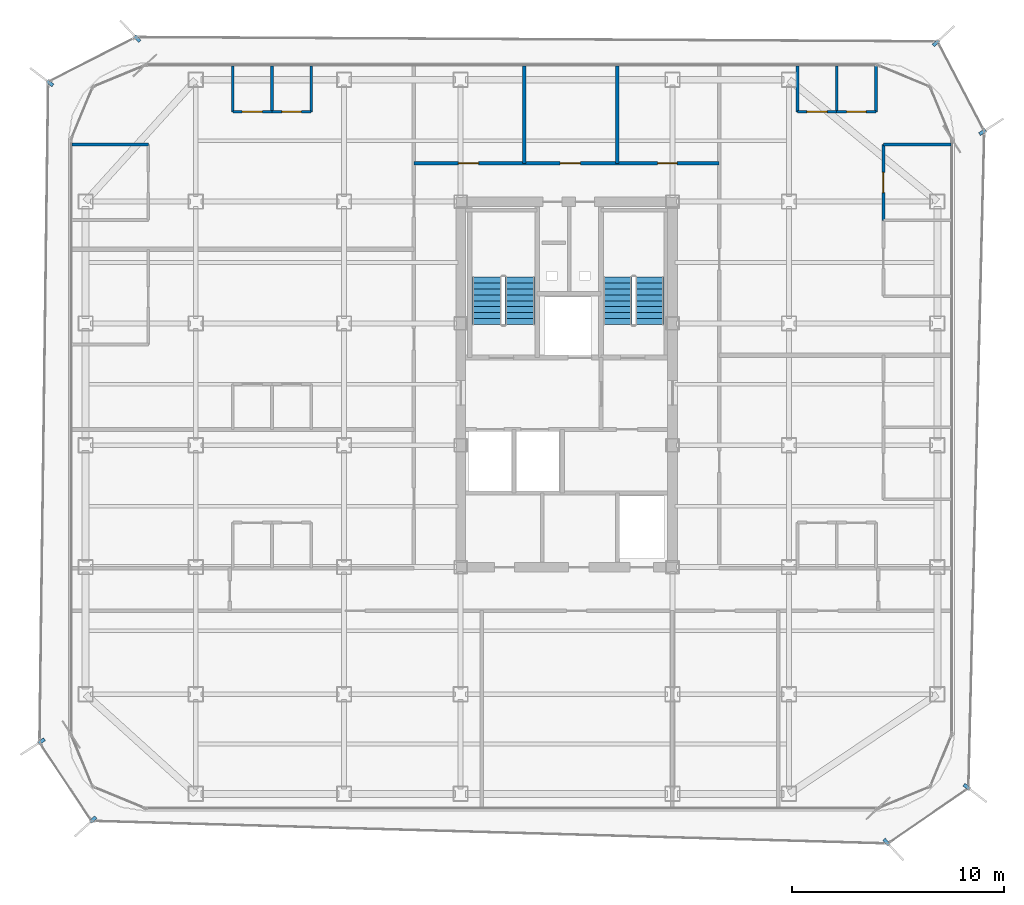
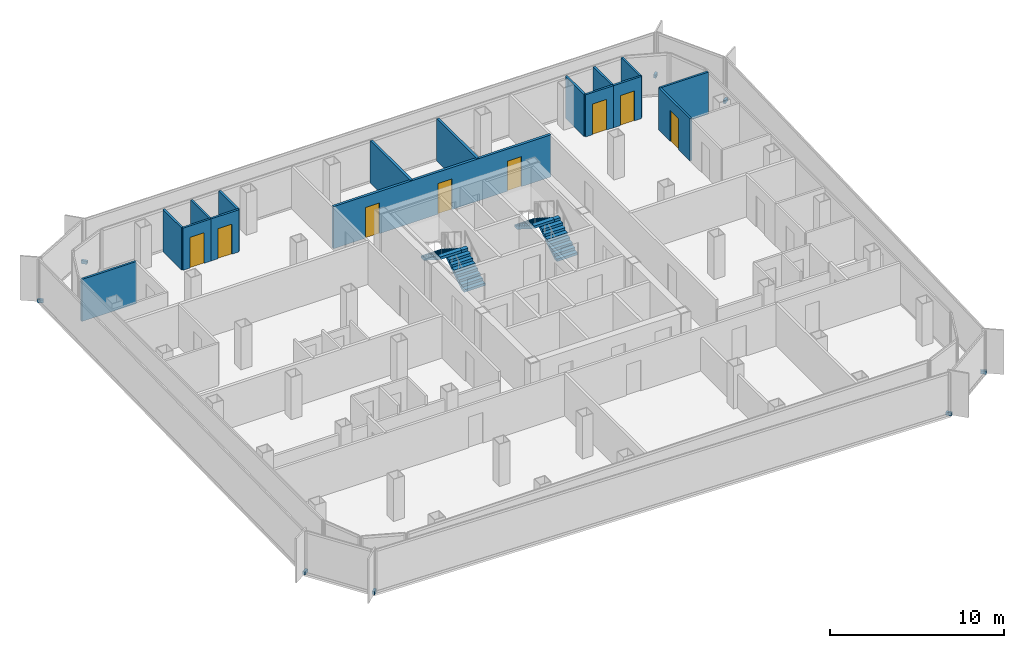
# One storey, part 12 of 15: 16 walls, 8 discrete accessories, 8 doors, 4 stair flights, 8 openings, 2 elements without a shape of their own.
"""IFC4 building model written with IfcOpenShell, lengths in metres."""

from ifc_helpers import new_model, si_unit, direction, frame, frame_2d, origin, origin_2d, place, context, subcontext, project, spatial, polyline, rectangle, outline, extrude, source, transform, mapped, material, layer, layer_set, type_object, element, fill, aggregate, save


model = new_model("IFC4")

# Units and contexts
model_context = context("Model", 3, precision=1e-05, world=origin(), true_north=direction((0.0, 1.0)))
body_context = subcontext(model_context, "Body", "Model", "MODEL_VIEW")
ifc_project = project(units=[si_unit("LENGTHUNIT", "METRE"), si_unit("AREAUNIT", "SQUARE_METRE"), si_unit("VOLUMEUNIT", "CUBIC_METRE"), si_unit("PLANEANGLEUNIT", "RADIAN"), si_unit("MASSUNIT", "GRAM", prefix="KILO")], contexts=[model_context])

# Site, building, storey
site_placement = place(None, origin())
site = spatial("IfcSite", under=ifc_project, at=site_placement, CompositionType="ELEMENT")
building_placement = place(site_placement, origin())
building = spatial("IfcBuilding", under=site, at=building_placement, Name="Kolveth Station Tower", CompositionType="ELEMENT")
storey_placement = place(building_placement, frame((0.0, 0.0, 168.89990234375)))
storey = spatial("IfcBuildingStorey", under=building, at=storey_placement, Name="L47", CompositionType="ELEMENT", Elevation=168.89990234375)

# Wall, opening, door
ifc_material_1 = material(Name="Moisture-resistant gypsum partition")
ifc_layer_1 = layer(ifc_material_1, 0.135009765625)
ifc_layer_set_1 = layer_set([ifc_layer_1], Name="Moisture-resistant gypsum partition")
wall_type_1 = type_object("IfcWallType", Name="Wall_IW-135", PredefinedType="PARTITIONING", material=ifc_layer_set_1)
wall_1_placement = place(storey_placement, frame((7.75, 32.989990234375, 0.0), z_axis=(0.0, 0.0, 1.0), x_axis=(1.0, 0.0, 0.0)))
wall_1 = element("IfcWall", 1, at=wall_1_placement, inside=storey, type_object=wall_type_1, Name="L47 Partition Wall WL-L47-W3-IBHK", PredefinedType="PARTITIONING", context=body_context, shape_type="SweptSolid", body=[
    extrude(rectangle(XDim=1.85009765625, YDim=0.135009765625, at=frame_2d((0.925048828125, 0.0))), origin(), (0.0, 0.0, 1.0), 2.9501953125),
])
opening_1_placement = place(wall_1_placement, frame((0.445068359375, 0.0, 0.0)))
opening_1 = element("IfcOpeningElement", 2, at=opening_1_placement, cuts=wall_1, Name="Opening ID1", PredefinedType="OPENING", context=body_context, shape_type="SweptSolid", body=[
    extrude(rectangle(XDim=0.949951171875, YDim=2.14990234375, at=frame_2d((0.47509765625, 1.074951171875))), frame((0.0, 0.077392578125, 0.0), z_axis=(0.0, -1.0, 0.0), x_axis=(1.0, 0.0, 0.0)), (0.0, 0.0, 1.0), 0.155029296875),
])
ifc_material_2 = material(Name="Acoustic hardwood leaf and aluminium frame", Category="wood")
door_type_1 = type_object("IfcDoorType", Name="Door_ID1", OperationType="NOTDEFINED", PredefinedType="DOOR", material=ifc_material_2)
door_1_placement = place(opening_1_placement, frame((0.949951171875, 0.0, 0.0), z_axis=(0.0, 0.0, 1.0), x_axis=(-1.0, 0.0, 0.0)))
door_1 = element("IfcDoor", 3, at=door_1_placement, inside=storey, type_object=door_type_1, Name="Penthouse Flat L47-W3 Kitchen Door", OperationType="SINGLE_SWING_LEFT", OverallHeight=2.14990234375, OverallWidth=0.949951171875, PredefinedType="DOOR", context=body_context, shape_type="SweptSolid", body=[
    extrude(rectangle(XDim=0.949951171875, YDim=2.14990234375, at=frame_2d((0.47509765625, 1.074951171875))), frame((0.0, 0.02490234375, 0.0), z_axis=(0.0, -1.0, 0.0), x_axis=(1.0, 0.0, 0.0)), (0.0, 0.0, 1.0), 0.050048828125),
])
fill(opening_1, door_1)

wall_2_placement = place(storey_placement, frame((9.60009765625, 32.989990234375, 0.0), z_axis=(0.0, 0.0, 1.0), x_axis=(1.0, 0.0, 0.0)))
wall_2 = element("IfcWall", 4, at=wall_2_placement, inside=storey, type_object=wall_type_1, Name="L47 Partition Wall WL-L47-W3-IBHB", PredefinedType="PARTITIONING", context=body_context, shape_type="SweptSolid", body=[
    extrude(rectangle(XDim=1.849853515625, YDim=0.135009765625, at=frame_2d((0.9248046875, 0.0))), origin(), (0.0, 0.0, 1.0), 2.9501953125),
])
opening_2_placement = place(wall_2_placement, frame((0.465087890625, 0.0, 0.0)))
opening_2 = element("IfcOpeningElement", 5, at=opening_2_placement, cuts=wall_2, Name="Opening ID2", PredefinedType="OPENING", context=body_context, shape_type="SweptSolid", body=[
    extrude(rectangle(XDim=0.919921875, YDim=2.10009765625, at=frame_2d((0.4599609375, 1.050048828125))), frame((0.0, 0.077392578125, 0.0), z_axis=(0.0, -1.0, 0.0), x_axis=(1.0, 0.0, 0.0)), (0.0, 0.0, 1.0), 0.155029296875),
])
ifc_material_3 = material(Name="Moisture-resistant hardwood leaf", Category="wood")
door_type_2 = type_object("IfcDoorType", Name="Door_ID2", OperationType="NOTDEFINED", PredefinedType="DOOR", material=ifc_material_3)
door_2_placement = place(opening_2_placement, frame((0.919921875, 0.0, 0.0), z_axis=(0.0, 0.0, 1.0), x_axis=(-1.0, 0.0, 0.0)))
door_2 = element("IfcDoor", 6, at=door_2_placement, inside=storey, type_object=door_type_2, Name="Penthouse Flat L47-W3 Bathroom Door", OperationType="SINGLE_SWING_LEFT", OverallHeight=2.10009765625, OverallWidth=0.919921875, PredefinedType="DOOR", context=body_context, shape_type="SweptSolid", body=[
    extrude(rectangle(XDim=0.919921875, YDim=2.10009765625, at=frame_2d((0.4599609375, 1.050048828125))), frame((0.0, 0.02490234375, 0.0), z_axis=(0.0, -1.0, 0.0), x_axis=(1.0, 0.0, 0.0)), (0.0, 0.0, 1.0), 0.050048828125),
])
fill(opening_2, door_2)

# Walls
for number, where, z_axis, x_axis, name in (
    (7, (7.75, 32.989990234375, 0.0), (0.0, 0.0, 1.0), (0.0, 1.0, 0.0), "L47 Partition Wall WL-L47-W3-IBV0"),
    (8, (9.60009765625, 32.989990234375, 0.0), (0.0, 0.0, 1.0), (0.0, 1.0, 0.0), "L47 Partition Wall WL-L47-W3-IBV1"),
    (9, (11.449951171875, 32.989990234375, 0.0), (0.0, 0.0, 1.0), (0.0, 1.0, 0.0), "L47 Partition Wall WL-L47-W3-IBV2"),
):
    element("IfcWall", number, at=place(storey_placement, frame(where, z_axis=z_axis, x_axis=x_axis)), inside=storey, type_object=wall_type_1, Name=name, PredefinedType="PARTITIONING", context=body_context, shape_type="SweptSolid", body=[
        extrude(rectangle(XDim=2.14990234375, YDim=0.135009765625, at=frame_2d((1.074951171875, 0.0))), origin(), (0.0, 0.0, 1.0), 2.9501953125),
    ])
wall_3_placement = place(storey_placement, frame((0.159912109375, 31.449951171875, 0.0), z_axis=(0.0, 0.0, 1.0), x_axis=(1.0, 0.0, 0.0)))
element("IfcWall", 10, at=wall_3_placement, inside=storey, type_object=wall_type_1, Name="L47 Partition Wall WL-L47-W3-BDHE", PredefinedType="PARTITIONING", context=body_context, shape_type="SweptSolid", body=[
    extrude(rectangle(XDim=3.60009765625, YDim=0.135009765625, at=frame_2d((1.800048828125, 0.0))), origin(), (0.0, 0.0, 1.0), 2.9501953125),
])

# Wall, opening, door
wall_4_placement = place(storey_placement, frame((34.39990234375, 32.989990234375, 0.0), z_axis=(0.0, 0.0, 1.0), x_axis=(1.0, 0.0, 0.0)))
wall_4 = element("IfcWall", 11, at=wall_4_placement, inside=storey, type_object=wall_type_1, Name="L47 Partition Wall WL-L47-E2-IBHK", PredefinedType="PARTITIONING", context=body_context, shape_type="SweptSolid", body=[
    extrude(rectangle(XDim=1.85009765625, YDim=0.135009765625, at=frame_2d((0.925048828125, 0.0))), origin(), (0.0, 0.0, 1.0), 2.9501953125),
])
opening_3_placement = place(wall_4_placement, frame((0.445068359375, 0.0, 0.0)))
opening_3 = element("IfcOpeningElement", 12, at=opening_3_placement, cuts=wall_4, Name="Opening ID1", PredefinedType="OPENING", context=body_context, shape_type="SweptSolid", body=[
    extrude(rectangle(XDim=0.949951171875, YDim=2.14990234375, at=frame_2d((0.47509765625, 1.074951171875))), frame((0.0, 0.077392578125, 0.0), z_axis=(0.0, -1.0, 0.0), x_axis=(1.0, 0.0, 0.0)), (0.0, 0.0, 1.0), 0.155029296875),
])
door_3_placement = place(opening_3_placement, frame((0.949951171875, 0.0, 0.0), z_axis=(0.0, 0.0, 1.0), x_axis=(-1.0, 0.0, 0.0)))
door_3 = element("IfcDoor", 13, at=door_3_placement, inside=storey, type_object=door_type_1, Name="Penthouse Flat L47-E2 Kitchen Door", OperationType="SINGLE_SWING_LEFT", OverallHeight=2.14990234375, OverallWidth=0.949951171875, PredefinedType="DOOR", context=body_context, shape_type="SweptSolid", body=[
    extrude(rectangle(XDim=0.949951171875, YDim=2.14990234375, at=frame_2d((0.47509765625, 1.074951171875))), frame((0.0, 0.02490234375, 0.0), z_axis=(0.0, -1.0, 0.0), x_axis=(1.0, 0.0, 0.0)), (0.0, 0.0, 1.0), 0.050048828125),
])
fill(opening_3, door_3)

wall_5_placement = place(storey_placement, frame((36.25, 32.989990234375, 0.0), z_axis=(0.0, 0.0, 1.0), x_axis=(1.0, 0.0, 0.0)))
wall_5 = element("IfcWall", 14, at=wall_5_placement, inside=storey, type_object=wall_type_1, Name="L47 Partition Wall WL-L47-E2-IBHB", PredefinedType="PARTITIONING", context=body_context, shape_type="SweptSolid", body=[
    extrude(rectangle(XDim=1.85009765625, YDim=0.135009765625, at=frame_2d((0.925048828125, 0.0))), origin(), (0.0, 0.0, 1.0), 2.9501953125),
])
opening_4_placement = place(wall_5_placement, frame((0.465087890625, 0.0, 0.0)))
opening_4 = element("IfcOpeningElement", 15, at=opening_4_placement, cuts=wall_5, Name="Opening ID2", PredefinedType="OPENING", context=body_context, shape_type="SweptSolid", body=[
    extrude(rectangle(XDim=0.919921875, YDim=2.10009765625, at=frame_2d((0.4599609375, 1.050048828125))), frame((0.0, 0.077392578125, 0.0), z_axis=(0.0, -1.0, 0.0), x_axis=(1.0, 0.0, 0.0)), (0.0, 0.0, 1.0), 0.155029296875),
])
door_4_placement = place(opening_4_placement, frame((0.919921875, 0.0, 0.0), z_axis=(0.0, 0.0, 1.0), x_axis=(-1.0, 0.0, 0.0)))
door_4 = element("IfcDoor", 16, at=door_4_placement, inside=storey, type_object=door_type_2, Name="Penthouse Flat L47-E2 Bathroom Door", OperationType="SINGLE_SWING_LEFT", OverallHeight=2.10009765625, OverallWidth=0.919921875, PredefinedType="DOOR", context=body_context, shape_type="SweptSolid", body=[
    extrude(rectangle(XDim=0.919921875, YDim=2.10009765625, at=frame_2d((0.4599609375, 1.050048828125))), frame((0.0, 0.02490234375, 0.0), z_axis=(0.0, -1.0, 0.0), x_axis=(1.0, 0.0, 0.0)), (0.0, 0.0, 1.0), 0.050048828125),
])
fill(opening_4, door_4)

# Walls
for number, where, z_axis, x_axis, name in (
    (17, (34.39990234375, 32.989990234375, 0.0), (0.0, 0.0, 1.0), (0.0, 1.0, 0.0), "L47 Partition Wall WL-L47-E2-IBV0"),
    (18, (36.25, 32.989990234375, 0.0), (0.0, 0.0, 1.0), (0.0, 1.0, 0.0), "L47 Partition Wall WL-L47-E2-IBV1"),
    (19, (38.10009765625, 32.989990234375, 0.0), (0.0, 0.0, 1.0), (0.0, 1.0, 0.0), "L47 Partition Wall WL-L47-E2-IBV2"),
):
    element("IfcWall", number, at=place(storey_placement, frame(where, z_axis=z_axis, x_axis=x_axis)), inside=storey, type_object=wall_type_1, Name=name, PredefinedType="PARTITIONING", context=body_context, shape_type="SweptSolid", body=[
        extrude(rectangle(XDim=2.14990234375, YDim=0.135009765625, at=frame_2d((1.074951171875, 0.0))), origin(), (0.0, 0.0, 1.0), 2.9501953125),
    ])
wall_6_placement = place(storey_placement, frame((38.449951171875, 31.449951171875, 0.0), z_axis=(0.0, 0.0, 1.0), x_axis=(1.0, 0.0, 0.0)))
element("IfcWall", 20, at=wall_6_placement, inside=storey, type_object=wall_type_1, Name="L47 Partition Wall WL-L47-E2-BDHE", PredefinedType="PARTITIONING", context=body_context, shape_type="SweptSolid", body=[
    extrude(rectangle(XDim=3.18994140625, YDim=0.135009765625, at=frame_2d((1.594970703125, 0.0))), origin(), (0.0, 0.0, 1.0), 2.9501953125),
])

# Wall, opening, door
wall_7_placement = place(storey_placement, frame((38.449951171875, 27.867919921875, 0.0), z_axis=(0.0, 0.0, 1.0), x_axis=(0.0, 1.0, 0.0)))
wall_7 = element("IfcWall", 21, at=wall_7_placement, inside=storey, type_object=wall_type_1, Name="L47 Partition Wall WL-L47-E2-BDV2", PredefinedType="PARTITIONING", context=body_context, shape_type="SweptSolid", body=[
    extrude(rectangle(XDim=3.58203125, YDim=0.135009765625, at=frame_2d((1.791015625, 0.0))), origin(), (0.0, 0.0, 1.0), 2.9501953125),
])
opening_5_placement = place(wall_7_placement, frame((1.31103515625, 0.0, 0.0)))
opening_5 = element("IfcOpeningElement", 22, at=opening_5_placement, cuts=wall_7, Name="Opening ID1", PredefinedType="OPENING", context=body_context, shape_type="SweptSolid", body=[
    extrude(rectangle(XDim=0.949951171875, YDim=2.14990234375, at=frame_2d((0.47509765625, 1.074951171875))), frame((0.0, 0.077392578125, 0.0), z_axis=(0.0, -1.0, 0.0), x_axis=(1.0, 0.0, 0.0)), (0.0, 0.0, 1.0), 0.155029296875),
])
door_5_placement = place(opening_5_placement, frame((0.949951171875, 0.0, 0.0), z_axis=(0.0, 0.0, 1.0), x_axis=(-1.0, 0.0, 0.0)))
door_5 = element("IfcDoor", 23, at=door_5_placement, inside=storey, type_object=door_type_1, Name="Penthouse Flat L47-E2 Bedroom 2 Door", OperationType="SINGLE_SWING_RIGHT", OverallHeight=2.14990234375, OverallWidth=0.949951171875, PredefinedType="DOOR", context=body_context, shape_type="SweptSolid", body=[
    extrude(rectangle(XDim=0.949951171875, YDim=2.14990234375, at=frame_2d((0.47509765625, 1.074951171875))), frame((0.0, 0.02490234375, 0.0), z_axis=(0.0, -1.0, 0.0), x_axis=(1.0, 0.0, 0.0)), (0.0, 0.0, 1.0), 0.050048828125),
])
fill(opening_5, door_5)

# Wall, openings, doors
ifc_material_4 = material(Name="Acoustic double-stud gypsum partition")
ifc_layer_2 = layer(ifc_material_4, 0.1650390625)
ifc_layer_set_2 = layer_set([ifc_layer_2], Name="Acoustic double-stud gypsum partition")
wall_type_2 = type_object("IfcWallType", Name="Wall_IW-165", PredefinedType="PARTITIONING", material=ifc_layer_set_2)
wall_8_placement = place(storey_placement, frame((16.300048828125, 30.550048828125, 0.0), z_axis=(0.0, 0.0, 1.0), x_axis=(1.0, 0.0, 0.0)))
wall_8 = element("IfcWall", 24, at=wall_8_placement, inside=storey, type_object=wall_type_2, Name="L47 Partition Wall WL-L47-RN", PredefinedType="PARTITIONING", context=body_context, shape_type="SweptSolid", body=[
    extrude(rectangle(XDim=14.39990234375, YDim=0.1650390625, at=frame_2d((7.199951171875, 0.0))), origin(), (0.0, 0.0, 1.0), 2.9501953125),
])
opening_6_placement = place(wall_8_placement, frame((2.10009765625, 0.0, 0.0)))
opening_6 = element("IfcOpeningElement", 25, at=opening_6_placement, cuts=wall_8, Name="Opening ID1", PredefinedType="OPENING", context=body_context, shape_type="SweptSolid", body=[
    extrude(rectangle(XDim=0.949951171875, YDim=2.14990234375, at=frame_2d((0.47509765625, 1.074951171875))), frame((0.0, 0.092529296875, 0.0), z_axis=(0.0, -1.0, 0.0), x_axis=(1.0, 0.0, 0.0)), (0.0, 0.0, 1.0), 0.18505859375),
])
opening_7_placement = place(wall_8_placement, frame((6.89990234375, 0.0, 0.0)))
opening_7 = element("IfcOpeningElement", 26, at=opening_7_placement, cuts=wall_8, Name="Opening ID1", PredefinedType="OPENING", context=body_context, shape_type="SweptSolid", body=[
    extrude(rectangle(XDim=0.949951171875, YDim=2.14990234375, at=frame_2d((0.47509765625, 1.074951171875))), frame((0.0, 0.092529296875, 0.0), z_axis=(0.0, -1.0, 0.0), x_axis=(1.0, 0.0, 0.0)), (0.0, 0.0, 1.0), 0.18505859375),
])
opening_8_placement = place(wall_8_placement, frame((11.5, 0.0, 0.0)))
opening_8 = element("IfcOpeningElement", 27, at=opening_8_placement, cuts=wall_8, Name="Opening ID2", PredefinedType="OPENING", context=body_context, shape_type="SweptSolid", body=[
    extrude(rectangle(XDim=0.919921875, YDim=2.10009765625, at=frame_2d((0.4599609375, 1.050048828125))), frame((0.0, 0.092529296875, 0.0), z_axis=(0.0, -1.0, 0.0), x_axis=(1.0, 0.0, 0.0)), (0.0, 0.0, 1.0), 0.18505859375),
])
door_6_placement = place(opening_6_placement, origin())
door_6 = element("IfcDoor", 28, at=door_6_placement, inside=storey, type_object=door_type_1, Name="L47 Quiet Study 1 Door", OperationType="SINGLE_SWING_RIGHT", OverallHeight=2.14990234375, OverallWidth=0.949951171875, PredefinedType="DOOR", context=body_context, shape_type="SweptSolid", body=[
    extrude(rectangle(XDim=0.949951171875, YDim=2.14990234375, at=frame_2d((0.47509765625, 1.074951171875))), frame((0.0, 0.02490234375, 0.0), z_axis=(0.0, -1.0, 0.0), x_axis=(1.0, 0.0, 0.0)), (0.0, 0.0, 1.0), 0.050048828125),
])
fill(opening_6, door_6)
door_7_placement = place(opening_7_placement, origin())
door_7 = element("IfcDoor", 29, at=door_7_placement, inside=storey, type_object=door_type_1, Name="L47 Quiet Study 2 Door", OperationType="SINGLE_SWING_LEFT", OverallHeight=2.14990234375, OverallWidth=0.949951171875, PredefinedType="DOOR", context=body_context, shape_type="SweptSolid", body=[
    extrude(rectangle(XDim=0.949951171875, YDim=2.14990234375, at=frame_2d((0.47509765625, 1.074951171875))), frame((0.0, 0.02490234375, 0.0), z_axis=(0.0, -1.0, 0.0), x_axis=(1.0, 0.0, 0.0)), (0.0, 0.0, 1.0), 0.050048828125),
])
fill(opening_7, door_7)
door_8_placement = place(opening_8_placement, origin())
door_8 = element("IfcDoor", 30, at=door_8_placement, inside=storey, type_object=door_type_2, Name="L47 Accessible Residents' WC Door", OperationType="SINGLE_SWING_RIGHT", OverallHeight=2.10009765625, OverallWidth=0.919921875, PredefinedType="DOOR", context=body_context, shape_type="SweptSolid", body=[
    extrude(rectangle(XDim=0.919921875, YDim=2.10009765625, at=frame_2d((0.4599609375, 1.050048828125))), frame((0.0, 0.02490234375, 0.0), z_axis=(0.0, -1.0, 0.0), x_axis=(1.0, 0.0, 0.0)), (0.0, 0.0, 1.0), 0.050048828125),
])
fill(opening_8, door_8)

# Walls
for number, where, z_axis, x_axis, name in (
    (31, (21.5, 30.550048828125, 0.0), (0.0, 0.0, 1.0), (0.0, 1.0, 0.0), "L47 Partition Wall WL-L47-RN-P1"),
    (32, (25.89990234375, 30.550048828125, 0.0), (0.0, 0.0, 1.0), (0.0, 1.0, 0.0), "L47 Partition Wall WL-L47-RN-P2"),
):
    element("IfcWall", number, at=place(storey_placement, frame(where, z_axis=z_axis, x_axis=x_axis)), inside=storey, type_object=wall_type_2, Name=name, PredefinedType="PARTITIONING", context=body_context, shape_type="SweptSolid", body=[
        extrude(rectangle(XDim=4.58984375, YDim=0.1650390625, at=frame_2d((2.294921875, 0.0))), origin(), (0.0, 0.0, 1.0), 2.9501953125),
    ])

# Stair, stair flights
ifc_material_5 = material(Name="Concrete C40/50", Category="concrete")
stair_type_1 = type_object("IfcStairType", Name="Stair_ST1", PredefinedType="HALF_TURN_STAIR", material=ifc_material_5)
stair_1_placement = place(storey_placement, origin())
stair_1 = element("IfcStair", 33, at=stair_1_placement, inside=storey, type_object=stair_type_1, Name="L47 Tower Exit Stair ST1", PredefinedType="HALF_TURN_STAIR")
ifc_layer_3 = layer(ifc_material_5, 0.179931640625)
ifc_layer_set_3 = layer_set([ifc_layer_3], Name="Concrete C40/50")
stair_flight_type_1 = type_object("IfcStairFlightType", Name="Flight_ST1", PredefinedType="STRAIGHT", material=ifc_layer_set_3)
stair_flight_1_placement = place(storey_placement, frame((21.300048828125, 22.949951171875, 0.0), z_axis=(0.0, 0.0, 1.0), x_axis=(0.0, 1.0, 0.0)))
stair_flight_1 = element("IfcStairFlight", 34, at=stair_flight_1_placement, type_object=stair_flight_type_1, Name="ST1 flight 1", NumberOfRisers=9, NumberOfTreads=8, PredefinedType="STRAIGHT", RiserHeight=0.177777778, TreadLength=0.28, context=body_context, shape_type="SweptSolid", body=[
    extrude(outline(polyline([(0.0, 0.0), (0.0, 0.177734375), (0.280029296875, 0.177734375), (0.280029296875, 0.35546875), (0.56005859375, 0.35546875), (0.56005859375, 0.533447265625), (0.840087890625, 0.533447265625), (0.840087890625, 0.711181640625), (1.1201171875, 0.711181640625), (1.1201171875, 0.888916015625), (1.39990234375, 0.888916015625), (1.39990234375, 1.066650390625), (1.679931640625, 1.066650390625), (1.679931640625, 1.244384765625), (1.9599609375, 1.244384765625), (1.9599609375, 1.422119140625), (2.239990234375, 1.422119140625), (2.239990234375, 1.60009765625), (2.239990234375, 1.24462890625), (0.27978515625, 0.0), (0.0, 0.0)])), frame((0.0, 0.699951171875, 0.0), z_axis=(0.0, -1.0, 0.0), x_axis=(1.0, 0.0, 0.0)), (0.0, 0.0, 1.0), 1.39990234375),
])
stair_flight_2_placement = place(storey_placement, frame((19.739990234375, 25.18994140625, 1.60009765625), z_axis=(0.0, 0.0, 1.0), x_axis=(0.0, -1.0, 0.0)))
stair_flight_2 = element("IfcStairFlight", 35, at=stair_flight_2_placement, type_object=stair_flight_type_1, Name="ST1 flight 2", NumberOfRisers=9, NumberOfTreads=8, PredefinedType="STRAIGHT", RiserHeight=0.177777778, TreadLength=0.28, context=body_context, shape_type="SweptSolid", body=[
    extrude(outline(polyline([(0.0, 0.0), (0.0, 0.177734375), (0.280029296875, 0.177734375), (0.280029296875, 0.35546875), (0.56005859375, 0.35546875), (0.56005859375, 0.533447265625), (0.840087890625, 0.533447265625), (0.840087890625, 0.711181640625), (1.1201171875, 0.711181640625), (1.1201171875, 0.888916015625), (1.39990234375, 0.888916015625), (1.39990234375, 1.066650390625), (1.679931640625, 1.066650390625), (1.679931640625, 1.244384765625), (1.9599609375, 1.244384765625), (1.9599609375, 1.422119140625), (2.239990234375, 1.422119140625), (2.239990234375, 1.60009765625), (2.239990234375, 1.24462890625), (0.27978515625, 0.0), (0.0, 0.0)])), frame((0.0, 0.699951171875, 0.0), z_axis=(0.0, -1.0, 0.0), x_axis=(1.0, 0.0, 0.0)), (0.0, 0.0, 1.0), 1.39990234375),
])
aggregate(stair_1, [stair_flight_1, stair_flight_2])

stair_type_2 = type_object("IfcStairType", Name="Stair_ST2", PredefinedType="HALF_TURN_STAIR", material=ifc_material_5)
stair_2_placement = place(storey_placement, origin())
stair_2 = element("IfcStair", 36, at=stair_2_placement, inside=storey, type_object=stair_type_2, Name="L47 Tower Exit Stair ST2", PredefinedType="HALF_TURN_STAIR")
ifc_layer_4 = layer(ifc_material_5, 0.179931640625)
ifc_layer_set_4 = layer_set([ifc_layer_4], Name="Concrete C40/50")
stair_flight_type_2 = type_object("IfcStairFlightType", Name="Flight_ST2", PredefinedType="STRAIGHT", material=ifc_layer_set_4)
stair_flight_3_placement = place(storey_placement, frame((27.425048828125, 22.949951171875, 0.0), z_axis=(0.0, 0.0, 1.0), x_axis=(0.0, 1.0, 0.0)))
stair_flight_3 = element("IfcStairFlight", 37, at=stair_flight_3_placement, type_object=stair_flight_type_2, Name="ST2 flight 1", NumberOfRisers=9, NumberOfTreads=8, PredefinedType="STRAIGHT", RiserHeight=0.177777778, TreadLength=0.28, context=body_context, shape_type="SweptSolid", body=[
    extrude(outline(polyline([(0.0, 0.0), (0.0, 0.177734375), (0.280029296875, 0.177734375), (0.280029296875, 0.35546875), (0.56005859375, 0.35546875), (0.56005859375, 0.533447265625), (0.840087890625, 0.533447265625), (0.840087890625, 0.711181640625), (1.1201171875, 0.711181640625), (1.1201171875, 0.888916015625), (1.39990234375, 0.888916015625), (1.39990234375, 1.066650390625), (1.679931640625, 1.066650390625), (1.679931640625, 1.244384765625), (1.9599609375, 1.244384765625), (1.9599609375, 1.422119140625), (2.239990234375, 1.422119140625), (2.239990234375, 1.60009765625), (2.239990234375, 1.24462890625), (0.27978515625, 0.0), (0.0, 0.0)])), frame((0.0, 0.675048828125, 0.0), z_axis=(0.0, -1.0, 0.0), x_axis=(1.0, 0.0, 0.0)), (0.0, 0.0, 1.0), 1.35009765625),
])
stair_flight_4_placement = place(storey_placement, frame((25.9150390625, 25.18994140625, 1.60009765625), z_axis=(0.0, 0.0, 1.0), x_axis=(0.0, -1.0, 0.0)))
stair_flight_4 = element("IfcStairFlight", 38, at=stair_flight_4_placement, type_object=stair_flight_type_2, Name="ST2 flight 2", NumberOfRisers=9, NumberOfTreads=8, PredefinedType="STRAIGHT", RiserHeight=0.177777778, TreadLength=0.28, context=body_context, shape_type="SweptSolid", body=[
    extrude(outline(polyline([(0.0, 0.0), (0.0, 0.177734375), (0.280029296875, 0.177734375), (0.280029296875, 0.35546875), (0.56005859375, 0.35546875), (0.56005859375, 0.533447265625), (0.840087890625, 0.533447265625), (0.840087890625, 0.711181640625), (1.1201171875, 0.711181640625), (1.1201171875, 0.888916015625), (1.39990234375, 0.888916015625), (1.39990234375, 1.066650390625), (1.679931640625, 1.066650390625), (1.679931640625, 1.244384765625), (1.9599609375, 1.244384765625), (1.9599609375, 1.422119140625), (2.239990234375, 1.422119140625), (2.239990234375, 1.60009765625), (2.239990234375, 1.24462890625), (0.27978515625, 0.0), (0.0, 0.0)])), frame((0.0, 0.675048828125, 0.0), z_axis=(0.0, -1.0, 0.0), x_axis=(1.0, 0.0, 0.0)), (0.0, 0.0, 1.0), 1.35009765625),
])
aggregate(stair_2, [stair_flight_3, stair_flight_4])

# Discrete accessories
ifc_material_6 = material(Name="Steel S355", Category="steel")
discrete_accessory_type = type_object("IfcDiscreteAccessoryType", Name="Bracket_BK1", PredefinedType="BRACKET", material=ifc_material_6)
shared_shape = source(origin(), body_context, "Body", "SweptSolid", [
    extrude(rectangle(XDim=0.35009765625, YDim=0.159912109375, at=origin_2d()), origin(), (0.0, 0.0, 1.0), 0.219970703125),
])
for number, where, z_axis, x_axis, name in (
    (39, (38.597900390625, -1.471923828125, -0.06005859375), (0.0, 0.0, 1.0), (0.679185142834, -0.733966989553, 0.0), "L47 Double-Skin Radial Tie Bracket 1"),
    (40, (42.389892578125, 1.1279296875, -0.06005859375), (0.0, 0.0, 1.0), (0.792821793707, -0.609453528518, 0.0), "L47 Double-Skin Radial Tie Bracket 2"),
    (41, (43.135009765625, 32.027099609375, -0.06005859375), (0.0, 0.0, 1.0), (0.839714653571, 0.543027900367, 0.0), "L47 Double-Skin Radial Tie Bracket 3"),
    (42, (40.93798828125, 36.235107421875, -0.06005859375), (0.0, 0.0, 1.0), (0.733136660803, 0.680081345566, 0.0), "L47 Double-Skin Radial Tie Bracket 4"),
    (43, (3.2451171875, 36.43408203125, -0.06005859375), (0.0, 0.0, 1.0), (-0.684928699156, 0.728610099486, 0.0), "L47 Double-Skin Radial Tie Bracket 5"),
    (44, (-0.87890625, 34.337890625, -0.06005859375), (0.0, 0.0, 1.0), (-0.793778142573, 0.608207415585, 0.0), "L47 Double-Skin Radial Tie Bracket 6"),
    (45, (-1.281982421875, 3.280029296875, -0.06005859375), (0.0, 0.0, 1.0), (-0.839240452652, -0.543760482779, 0.0), "L47 Double-Skin Radial Tie Bracket 7"),
    (46, (1.160888671875, -0.4130859375, -0.06005859375), (0.0, 0.0, 1.0), (-0.737748808042, -0.675075326339, 0.0), "L47 Double-Skin Radial Tie Bracket 8"),
):
    element("IfcDiscreteAccessory", number, at=place(storey_placement, frame(where, z_axis=z_axis, x_axis=x_axis)), inside=storey, type_object=discrete_accessory_type, Name=name, PredefinedType="BRACKET", context=body_context, shape_type="MappedRepresentation", body=[
        mapped(shared_shape, transform((0.0, 0.0, 0.0), x_axis=(1.0, 0.0, 0.0), y_axis=(0.0, 1.0, 0.0), z_axis=(0.0, 0.0, 1.0), scale=1.0)),
    ])

save(model, "model.ifc")
